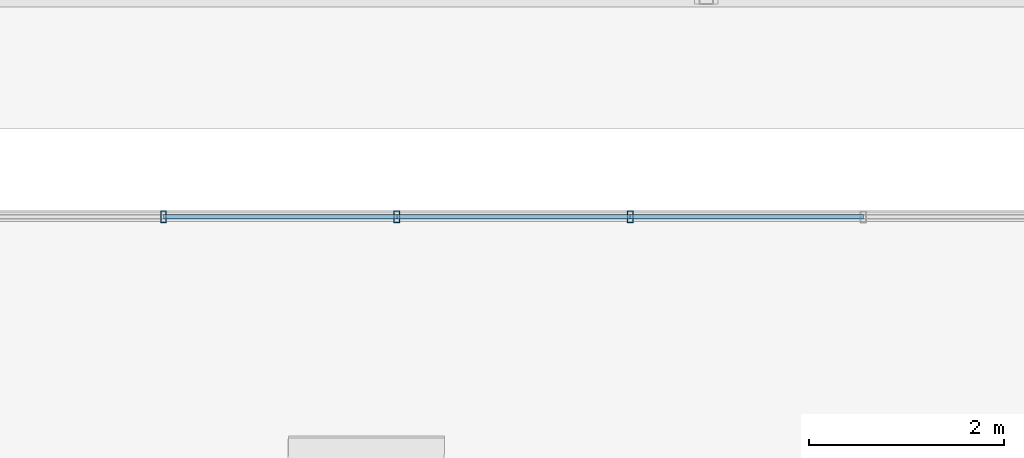
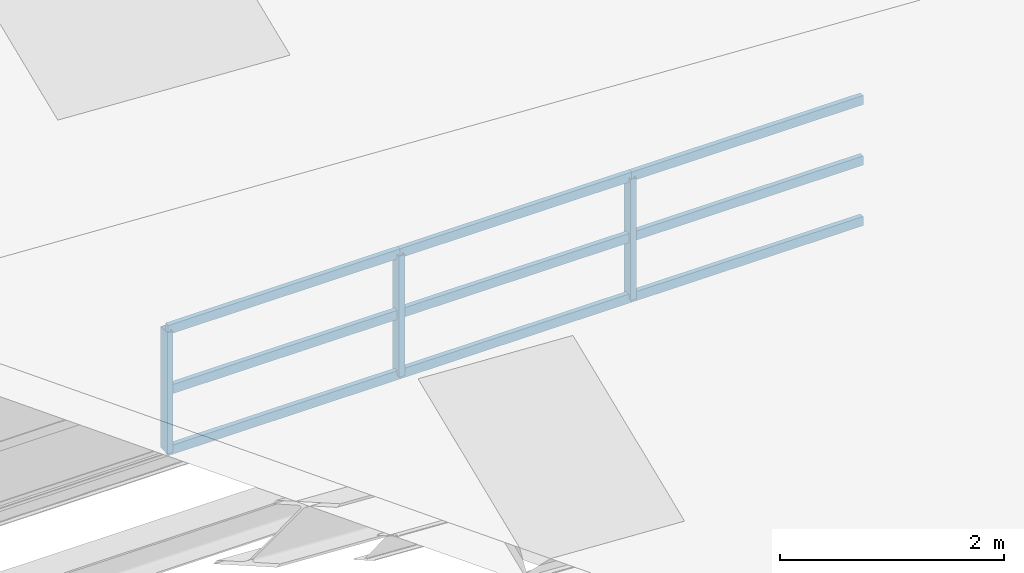
# One storey, part 55 of 141: 12 members, 1 element without a shape of its own.
"""IFC4 building model written with IfcOpenShell, lengths in metres."""

from ifc_helpers import new_model, si_unit, direction, frame, origin, origin_2d, place, context, subcontext, project, spatial, hollow_rectangle, extrude, material, material_profile, profile_set, type_object, element, aggregate, save


model = new_model("IFC4")

# Units and contexts
model_context = context("Model", 3, precision=1e-05, world=origin(), true_north=direction((0.0, 1.0)))
body_context = subcontext(model_context, "Body", "Model", "MODEL_VIEW")
ifc_project = project(units=[si_unit("LENGTHUNIT", "METRE"), si_unit("AREAUNIT", "SQUARE_METRE"), si_unit("VOLUMEUNIT", "CUBIC_METRE"), si_unit("PLANEANGLEUNIT", "RADIAN"), si_unit("MASSUNIT", "GRAM", prefix="KILO")], contexts=[model_context])

# Site, building, storey
site_placement = place(None, origin())
site = spatial("IfcSite", under=ifc_project, at=site_placement, CompositionType="ELEMENT")
building_placement = place(site_placement, origin())
building = spatial("IfcBuilding", under=site, at=building_placement, Name="Sundkrona Museum", CompositionType="ELEMENT")
storey_placement = place(building_placement, frame((0.0, 0.0, 34.0)))
storey = spatial("IfcBuildingStorey", under=building, at=storey_placement, Name="RF", CompositionType="ELEMENT", Elevation=34.0)

# Curtain wall, members
ifc_material_1 = material(Name="Unitised Aluminium-Steel and Ceramic-Clad Curtain Walling", Category="steel")
curtain_wall_type = type_object("IfcCurtainWallType", Name="CW-SW-240x13", PredefinedType="NOTDEFINED", material=ifc_material_1)
curtain_wall_placement = place(storey_placement, origin())
curtain_wall = element("IfcCurtainWall", 1, at=curtain_wall_placement, inside=storey, type_object=curtain_wall_type, Name="Sawtooth Bay 2 East North-Light Clerestory", PredefinedType="NOTDEFINED")
ifc_material_2 = material(Name="Aluminium EN AW-6060 T66", Category="aluminium")
ifc_material_profile_1 = material_profile(ifc_material_2, hollow_rectangle(XDim=0.06005859375, YDim=0.1201171875, WallThickness=0.0048828125, at=origin_2d()), Name="RHS 120x60x5.0")
ifc_profile_set_1 = profile_set([ifc_material_profile_1], Name="Aluminium EN AW-6060 T66")
member_type_1 = type_object("IfcMemberType", Name="ML-120", PredefinedType="MULLION", material=ifc_profile_set_1)
member_1_placement = place(storey_placement, frame((146.43994140625, 10.300048828125, 2.633056640625), z_axis=(0.0, 0.0, 1.0), x_axis=(1.0, 0.0, 0.0)))
member_1 = element("IfcMember", 2, at=member_1_placement, type_object=member_type_1, Name="CW-RF-SAW-02E Mullion 02", PredefinedType="MULLION", context=body_context, shape_type="SweptSolid", body=[
    extrude(hollow_rectangle(XDim=0.06005859375, YDim=0.1201171875, WallThickness=0.0048828125, at=origin_2d()), origin(), (0.0, 0.0, 1.0), 1.31982421875),
])
member_2_placement = place(storey_placement, frame((148.830078125, 10.300048828125, 2.633056640625), z_axis=(0.0, 0.0, 1.0), x_axis=(1.0, 0.0, 0.0)))
member_2 = element("IfcMember", 3, at=member_2_placement, type_object=member_type_1, Name="CW-RF-SAW-02E Mullion 03", PredefinedType="MULLION", context=body_context, shape_type="SweptSolid", body=[
    extrude(hollow_rectangle(XDim=0.06005859375, YDim=0.1201171875, WallThickness=0.0048828125, at=origin_2d()), origin(), (0.0, 0.0, 1.0), 1.31982421875),
])
member_3_placement = place(storey_placement, frame((151.219970703125, 10.300048828125, 2.633056640625), z_axis=(0.0, 0.0, 1.0), x_axis=(1.0, 0.0, 0.0)))
member_3 = element("IfcMember", 4, at=member_3_placement, type_object=member_type_1, Name="CW-RF-SAW-02E Mullion 04", PredefinedType="MULLION", context=body_context, shape_type="SweptSolid", body=[
    extrude(hollow_rectangle(XDim=0.06005859375, YDim=0.1201171875, WallThickness=0.0048828125, at=origin_2d()), origin(), (0.0, 0.0, 1.0), 1.31982421875),
])
ifc_material_profile_2 = material_profile(ifc_material_2, hollow_rectangle(XDim=0.050048828125, YDim=0.10009765625, WallThickness=0.0048828125, at=origin_2d()), Name="RHS 100x50x5.0")
ifc_profile_set_2 = profile_set([ifc_material_profile_2], Name="Aluminium EN AW-6060 T66")
member_type_2 = type_object("IfcMemberType", Name="TR-100", PredefinedType="USERDEFINED", material=ifc_profile_set_2)
member_4_placement = place(storey_placement, frame((146.43994140625, 10.300048828125, 2.633056640625), z_axis=(1.0, 0.0, 0.0), x_axis=(0.0, 1.0, 0.0)))
member_4 = element("IfcMember", 5, at=member_4_placement, type_object=member_type_2, Name="CW-RF-SAW-02E Transom 04", ObjectType="TRANSOM", PredefinedType="USERDEFINED", context=body_context, shape_type="SweptSolid", body=[
    extrude(hollow_rectangle(XDim=0.050048828125, YDim=0.10009765625, WallThickness=0.0048828125, at=origin_2d()), origin(), (0.0, 0.0, 1.0), 2.39013671875),
])
member_5_placement = place(storey_placement, frame((146.43994140625, 10.300048828125, 3.29296875), z_axis=(1.0, 0.0, 0.0), x_axis=(0.0, 1.0, 0.0)))
member_5 = element("IfcMember", 6, at=member_5_placement, type_object=member_type_2, Name="CW-RF-SAW-02E Transom 05", ObjectType="TRANSOM", PredefinedType="USERDEFINED", context=body_context, shape_type="SweptSolid", body=[
    extrude(hollow_rectangle(XDim=0.050048828125, YDim=0.10009765625, WallThickness=0.0048828125, at=origin_2d()), origin(), (0.0, 0.0, 1.0), 2.39013671875),
])
member_6_placement = place(storey_placement, frame((146.43994140625, 10.300048828125, 3.952880859375), z_axis=(1.0, 0.0, 0.0), x_axis=(0.0, 1.0, 0.0)))
member_6 = element("IfcMember", 7, at=member_6_placement, type_object=member_type_2, Name="CW-RF-SAW-02E Transom 06", ObjectType="TRANSOM", PredefinedType="USERDEFINED", context=body_context, shape_type="SweptSolid", body=[
    extrude(hollow_rectangle(XDim=0.050048828125, YDim=0.10009765625, WallThickness=0.0048828125, at=origin_2d()), origin(), (0.0, 0.0, 1.0), 2.39013671875),
])
member_7_placement = place(storey_placement, frame((148.830078125, 10.300048828125, 2.633056640625), z_axis=(1.0, 0.0, 0.0), x_axis=(0.0, 1.0, 0.0)))
member_7 = element("IfcMember", 8, at=member_7_placement, type_object=member_type_2, Name="CW-RF-SAW-02E Transom 07", ObjectType="TRANSOM", PredefinedType="USERDEFINED", context=body_context, shape_type="SweptSolid", body=[
    extrude(hollow_rectangle(XDim=0.050048828125, YDim=0.10009765625, WallThickness=0.0048828125, at=origin_2d()), origin(), (0.0, 0.0, 1.0), 2.389892578125),
])
member_8_placement = place(storey_placement, frame((148.830078125, 10.300048828125, 3.29296875), z_axis=(1.0, 0.0, 0.0), x_axis=(0.0, 1.0, 0.0)))
member_8 = element("IfcMember", 9, at=member_8_placement, type_object=member_type_2, Name="CW-RF-SAW-02E Transom 08", ObjectType="TRANSOM", PredefinedType="USERDEFINED", context=body_context, shape_type="SweptSolid", body=[
    extrude(hollow_rectangle(XDim=0.050048828125, YDim=0.10009765625, WallThickness=0.0048828125, at=origin_2d()), origin(), (0.0, 0.0, 1.0), 2.389892578125),
])
member_9_placement = place(storey_placement, frame((148.830078125, 10.300048828125, 3.952880859375), z_axis=(1.0, 0.0, 0.0), x_axis=(0.0, 1.0, 0.0)))
member_9 = element("IfcMember", 10, at=member_9_placement, type_object=member_type_2, Name="CW-RF-SAW-02E Transom 09", ObjectType="TRANSOM", PredefinedType="USERDEFINED", context=body_context, shape_type="SweptSolid", body=[
    extrude(hollow_rectangle(XDim=0.050048828125, YDim=0.10009765625, WallThickness=0.0048828125, at=origin_2d()), origin(), (0.0, 0.0, 1.0), 2.389892578125),
])
member_10_placement = place(storey_placement, frame((151.219970703125, 10.300048828125, 2.633056640625), z_axis=(1.0, 0.0, 0.0), x_axis=(0.0, 1.0, 0.0)))
member_10 = element("IfcMember", 11, at=member_10_placement, type_object=member_type_2, Name="CW-RF-SAW-02E Transom 10", ObjectType="TRANSOM", PredefinedType="USERDEFINED", context=body_context, shape_type="SweptSolid", body=[
    extrude(hollow_rectangle(XDim=0.050048828125, YDim=0.10009765625, WallThickness=0.0048828125, at=origin_2d()), origin(), (0.0, 0.0, 1.0), 2.39013671875),
])
member_11_placement = place(storey_placement, frame((151.219970703125, 10.300048828125, 3.29296875), z_axis=(1.0, 0.0, 0.0), x_axis=(0.0, 1.0, 0.0)))
member_11 = element("IfcMember", 12, at=member_11_placement, type_object=member_type_2, Name="CW-RF-SAW-02E Transom 11", ObjectType="TRANSOM", PredefinedType="USERDEFINED", context=body_context, shape_type="SweptSolid", body=[
    extrude(hollow_rectangle(XDim=0.050048828125, YDim=0.10009765625, WallThickness=0.0048828125, at=origin_2d()), origin(), (0.0, 0.0, 1.0), 2.39013671875),
])
member_12_placement = place(storey_placement, frame((151.219970703125, 10.300048828125, 3.952880859375), z_axis=(1.0, 0.0, 0.0), x_axis=(0.0, 1.0, 0.0)))
member_12 = element("IfcMember", 13, at=member_12_placement, type_object=member_type_2, Name="CW-RF-SAW-02E Transom 12", ObjectType="TRANSOM", PredefinedType="USERDEFINED", context=body_context, shape_type="SweptSolid", body=[
    extrude(hollow_rectangle(XDim=0.050048828125, YDim=0.10009765625, WallThickness=0.0048828125, at=origin_2d()), origin(), (0.0, 0.0, 1.0), 2.39013671875),
])
aggregate(curtain_wall, [member_1, member_2, member_3, member_4, member_5, member_6, member_7, member_8, member_9, member_10, member_11, member_12])

save(model, "model.ifc")
